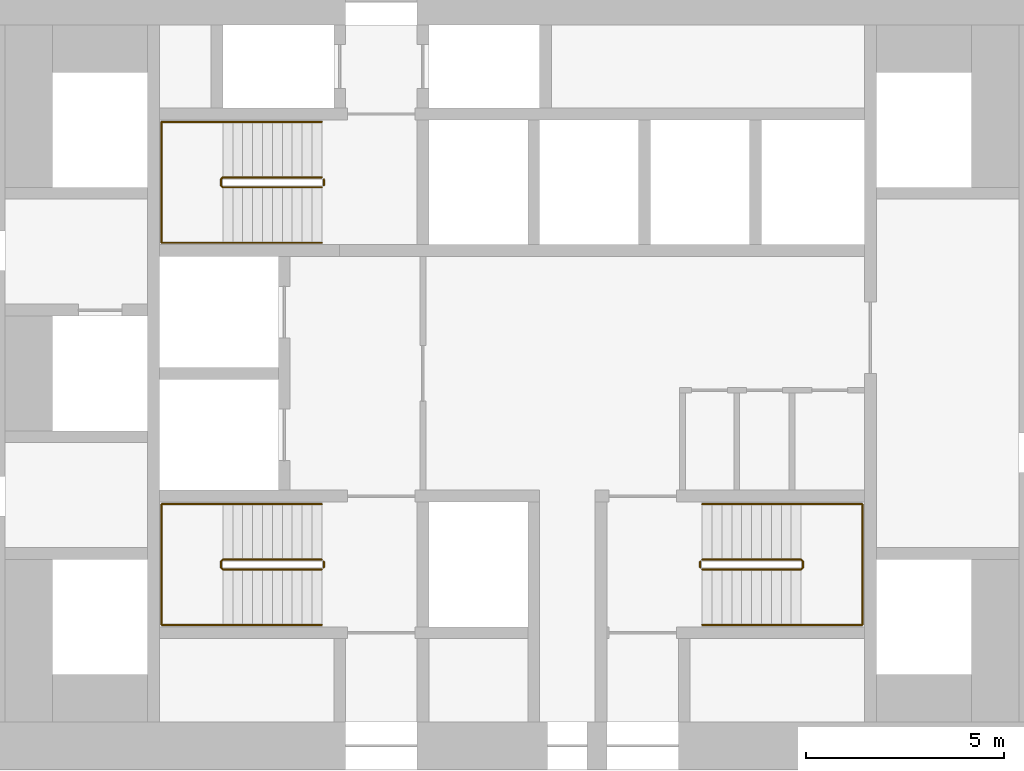
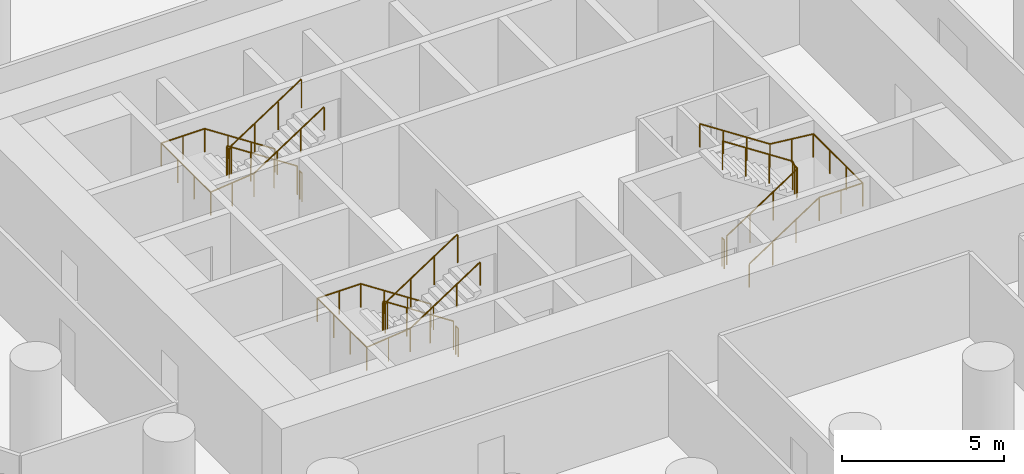
# One storey, part 12 of 12: 9 railings.
"""IFC4 building model written with IfcOpenShell, lengths in metres."""

import ifcopenshell
import ifcopenshell.guid

model = None  # the IFC model being written
_history = None  # IfcOwnerHistory: only IFC2X3 demands one
_inside = {}  # id of a spatial element -> (the spatial element, [elements in it])
_under = {}  # id of a project, library or spatial element -> (it, [spatial elements below it])
_declared = {}  # id of a project -> (the project, [libraries it declares])
_typed = {}  # id of a type object -> (the type object, [elements of that type])
_made_of = {}  # id of a material, layer set ... -> (it, [elements and type objects made of it])


def new_model(schema):
    """Start an empty IFC model of exactly this schema.

    Asked for "IFC4X3", IfcOpenShell would pick the latest addendum, in which some entities
    have other attributes; the version numbers below select the first issue.
    IFC2X3 requires an IfcOwnerHistory on every rooted entity: one is made here for all.
    """
    global model, _history
    if schema == "IFC4X3":
        model = ifcopenshell.file(schema_version=(4, 3, 0, 0))
    else:
        model = ifcopenshell.file(schema=schema)
    _inside.clear()
    _under.clear()
    _declared.clear()
    _typed.clear()
    _made_of.clear()
    _history = None
    if model.schema == "IFC2X3":
        org = make("IfcOrganization", Name="unknown")
        user = make(
            "IfcPersonAndOrganization",
            ThePerson=make("IfcPerson", FamilyName="unknown"),
            TheOrganization=org,
        )
        app = make(
            "IfcApplication",
            ApplicationDeveloper=org,
            Version="unknown",
            ApplicationFullName="unknown",
            ApplicationIdentifier="unknown",
        )
        _history = make(
            "IfcOwnerHistory",
            OwningUser=user,
            OwningApplication=app,
            ChangeAction="ADDED",
            CreationDate=0,
        )
    return model


def make(cls, **values):
    """One entity of the class cls with the attributes given. An attribute that is None is left unset."""
    return model.create_entity(
        cls, **{name: value for name, value in values.items() if value is not None}
    )


def rooted(cls, **values):
    """An entity with a GlobalId (a new one), such as an element, a storey or a relation."""
    return make(cls, GlobalId=ifcopenshell.guid.new(), OwnerHistory=_history, **values)


def si_unit(unit_type, name, prefix=None):
    """IfcSIUnit, for example si_unit("LENGTHUNIT", "METRE", prefix="MILLI")."""
    return make("IfcSIUnit", UnitType=unit_type, Prefix=prefix, Name=name)


def assignment(units):
    """IfcUnitAssignment: the units of a project."""
    return None if units is None else make("IfcUnitAssignment", Units=units)


def point(xyz):
    """IfcCartesianPoint."""
    return None if xyz is None else make("IfcCartesianPoint", Coordinates=xyz)


def direction(xyz):
    """IfcDirection."""
    return None if xyz is None else make("IfcDirection", DirectionRatios=xyz)


def frame(location, z_axis=None, x_axis=None):
    """IfcAxis2Placement3D, a coordinate frame: its origin and axes. An axis left out is left unset."""
    return make(
        "IfcAxis2Placement3D",
        Location=point(location),
        Axis=direction(z_axis),
        RefDirection=direction(x_axis),
    )


def frame_2d(location, x_axis=None):
    """IfcAxis2Placement2D, a coordinate frame in the plane: its origin and x axis."""
    return make(
        "IfcAxis2Placement2D", Location=point(location), RefDirection=direction(x_axis)
    )


def origin():
    """The frame at (0, 0, 0) with its axes left unset."""
    return frame((0.0, 0.0, 0.0))


def origin_2d():
    """The frame at (0, 0) in the plane with its x axis left unset."""
    return frame_2d((0.0, 0.0))


def place(relative_to, where):
    """IfcLocalPlacement: puts the frame where relative to a parent placement (None: the world)."""
    return make(
        "IfcLocalPlacement", PlacementRelTo=relative_to, RelativePlacement=where
    )


def context(
    kind, dimensions, precision=None, world=None, true_north=None, identifier=None
):
    """IfcGeometricRepresentationContext, for example the 3D "Model" context."""
    return make(
        "IfcGeometricRepresentationContext",
        ContextIdentifier=identifier,
        ContextType=kind,
        CoordinateSpaceDimension=dimensions,
        Precision=precision,
        WorldCoordinateSystem=world,
        TrueNorth=true_north,
    )


def subcontext(parent, identifier, kind, view, scale=None):
    """IfcGeometricRepresentationSubContext, for example "Body" below "Model"."""
    return make(
        "IfcGeometricRepresentationSubContext",
        ContextIdentifier=identifier,
        ContextType=kind,
        ParentContext=parent,
        TargetScale=scale,
        TargetView=view,
    )


def project(units=None, contexts=None):
    """IfcProject with its units and contexts."""
    return rooted(
        "IfcProject",
        Name="project",
        RepresentationContexts=contexts,
        UnitsInContext=assignment(units),
    )


def spatial(cls, under=None, at=None, **own):
    """A site, building, storey or space (cls), placed at a placement, below another one or the project."""
    s = rooted(cls, ObjectPlacement=at, **own)
    if under is not None:
        _under.setdefault(under.id(), (under, []))[1].append(s)
    return s


def profile(cls, at=None, kind="AREA", **sizes):
    """A parametric profile (cls). Its sizes go by their IFC names, for example OverallWidth=200.0."""
    return make(cls, ProfileType=kind, Position=at, **sizes)


def circle(**sizes):
    """IfcCircleProfileDef."""
    return profile("IfcCircleProfileDef", **sizes)


def extrude(swept, where, along, depth):
    """IfcExtrudedAreaSolid: the profile swept, set in the frame where, extruded along a direction by depth."""
    return make(
        "IfcExtrudedAreaSolid",
        SweptArea=swept,
        Position=where,
        ExtrudedDirection=direction(along),
        Depth=depth,
    )


def shape(context_of_items, identifier, shape_type, items):
    """IfcShapeRepresentation: the items that make up one representation, for example the "Body"."""
    return make(
        "IfcShapeRepresentation",
        ContextOfItems=context_of_items,
        RepresentationIdentifier=identifier,
        RepresentationType=shape_type,
        Items=items,
    )


def material(Name=None, Category=None):
    """IfcMaterial."""
    return make("IfcMaterial", Name=Name, Category=Category)


def made_of(thing, what):
    """Note that an element or type object is made of a material, layer set ...; save() writes the relation."""
    if what is not None:
        _made_of.setdefault(what.id(), (what, []))[1].append(thing)
    return thing


def type_object(cls, material=None, **own):
    """A type object (cls), such as IfcWallType, which elements share."""
    return made_of(rooted(cls, **own), material)


def element(
    cls,
    number,
    at=None,
    inside=None,
    cuts=None,
    type_object=None,
    material=None,
    context=None,
    identifier="Body",
    shape_type=None,
    held_by="IfcProductDefinitionShape",
    body=None,
    shapes=None,
    **own,
):
    """One element of the class cls, such as IfcWall. Its Tag is "e" and its number.

    at: its placement. inside: the storey or other place that contains it. cuts: it is an
    opening in that element (IfcRelVoidsElement). A single representation is given by context,
    identifier, shape_type and body (its items); several are given by shapes. held_by: the class
    of the entity that holds the representations. save() writes the other relations.
    """
    e = rooted(cls, Tag="e%d" % number, ObjectPlacement=at, **own)
    if body is not None:
        shapes = [shape(context, identifier, shape_type, body)]
    if shapes is not None:
        e.Representation = make(held_by, Representations=shapes)
    if inside is not None:
        _inside.setdefault(inside.id(), (inside, []))[1].append(e)
    if cuts is not None:
        rooted(
            "IfcRelVoidsElement", RelatingBuildingElement=cuts, RelatedOpeningElement=e
        )
    if type_object is not None:
        _typed.setdefault(type_object.id(), (type_object, []))[1].append(e)
    return made_of(e, material)


def aggregate(whole, parts):
    """IfcRelAggregates: a whole, such as a stair, and the parts it consists of."""
    return rooted("IfcRelAggregates", RelatingObject=whole, RelatedObjects=parts)


def save(model, path):
    """Write the relations noted so far, then the file.

    IfcRelAggregates (storeys below a building ...), IfcRelContainedInSpatialStructure (elements
    in a storey), IfcRelDefinesByType, IfcRelAssociatesMaterial and IfcRelDeclares: one each for
    every whole, place, type object, material and project.
    """
    for whole, parts in _under.values():
        aggregate(whole, parts)
    for where, things in _inside.values():
        rooted(
            "IfcRelContainedInSpatialStructure",
            RelatedElements=things,
            RelatingStructure=where,
        )
    for kind, things in _typed.values():
        rooted("IfcRelDefinesByType", RelatedObjects=things, RelatingType=kind)
    for what, things in _made_of.values():
        rooted("IfcRelAssociatesMaterial", RelatedObjects=things, RelatingMaterial=what)
    for by, libraries in _declared.values():
        rooted("IfcRelDeclares", RelatingContext=by, RelatedDefinitions=libraries)
    model.write(path)


model = new_model("IFC4")

# Units and contexts
model_context = context("Model", 3, precision=1e-05, world=origin(), true_north=direction((0.0, 1.0)))
body_context = subcontext(model_context, "Body", "Model", "MODEL_VIEW")
ifc_project = project(units=[si_unit("LENGTHUNIT", "METRE"), si_unit("AREAUNIT", "SQUARE_METRE"), si_unit("VOLUMEUNIT", "CUBIC_METRE"), si_unit("PLANEANGLEUNIT", "RADIAN"), si_unit("MASSUNIT", "GRAM", prefix="KILO")], contexts=[model_context])

# Site, building, storey
site_placement = place(None, origin())
site = spatial("IfcSite", under=ifc_project, at=site_placement, CompositionType="ELEMENT")
building_placement = place(site_placement, origin())
building = spatial("IfcBuilding", under=site, at=building_placement, Name="Tracery Tower", CompositionType="ELEMENT")
storey_placement = place(building_placement, frame((0.0, 0.0, 46.199951171875)))
storey = spatial("IfcBuildingStorey", under=building, at=storey_placement, Name="L10", CompositionType="ELEMENT", Elevation=46.199951171875)

# Railings
ifc_material_1 = material(Name="Stainless steel and laminated glass", Category="steel")
railing_type_1 = type_object("IfcRailingType", Name="Stair guard 1100", PredefinedType="GUARDRAIL", material=ifc_material_1)
railing_1_placement = place(storey_placement, frame((-4.800048828125, -4.699951171875, 0.16357421875)))
element("IfcRailing", 1, at=railing_1_placement, inside=storey, type_object=railing_type_1, Name="L10 stair ST1 guard 1", PredefinedType="GUARDRAIL", context=body_context, shape_type="SweptSolid", body=[
    extrude(circle(Radius=0.02392578125, at=origin_2d()), frame((0.0, 0.0, 1.076171875), z_axis=(-0.83668449804, 0.0, 0.54768517484), x_axis=(0.0, -1.0, 0.0)), (0.0, 0.0, 1.0), 2.988037109375),
    extrude(circle(Radius=0.02392578125, at=origin_2d()), frame((-2.5, 0.0, 2.71240234375), z_axis=(-0.707106781187, -0.707106781187, 0.0), x_axis=(0.707106781187, -0.707106781187, 0.0)), (0.0, 0.0, 1.0), 0.07080078125),
    extrude(circle(Radius=0.02392578125, at=origin_2d()), frame((-2.550048828125, -0.050048828125, 2.71240234375), z_axis=(0.0, -1.0, 0.0), x_axis=(1.0, 0.0, 0.0)), (0.0, 0.0, 1.0), 0.14990234375),
    extrude(circle(Radius=0.02392578125, at=origin_2d()), frame((-2.550048828125, -0.199951171875, 2.71240234375), z_axis=(0.280808744504, -0.280808744504, 0.917765164963), x_axis=(0.707106781187, 0.707106781187, 0.0)), (0.0, 0.0, 1.0), 0.17822265625),
    extrude(circle(Radius=0.02392578125, at=origin_2d()), frame((-2.5, -0.25, 2.8759765625), z_axis=(0.83668449804, 0.0, 0.54768517484), x_axis=(0.0, 1.0, 0.0)), (0.0, 0.0, 1.0), 2.988037109375),
    extrude(circle(Radius=0.02099609375, at=origin_2d()), origin(), (0.0, 0.0, 1.0), 1.052001953125),
    extrude(circle(Radius=0.02099609375, at=origin_2d()), frame((-0.833251953125, 0.0, 0.54541015625)), (0.0, 0.0, 1.0), 1.052001953125),
    extrude(circle(Radius=0.02099609375, at=origin_2d()), frame((-1.666748046875, 0.0, 1.091064453125)), (0.0, 0.0, 1.0), 1.052001953125),
    extrude(circle(Radius=0.02099609375, at=origin_2d()), frame((-2.5, 0.0, 1.636474609375)), (0.0, 0.0, 1.0), 1.052001953125),
    extrude(circle(Radius=0.02099609375, at=origin_2d()), frame((-2.550048828125, -0.050048828125, 1.636474609375)), (0.0, 0.0, 1.0), 1.052001953125),
    extrude(circle(Radius=0.02099609375, at=origin_2d()), frame((-2.550048828125, -0.199951171875, 1.636474609375)), (0.0, 0.0, 1.0), 1.052001953125),
    extrude(circle(Radius=0.02099609375, at=origin_2d()), frame((-2.5, -0.25, 1.800048828125)), (0.0, 0.0, 1.0), 1.052001953125),
    extrude(circle(Radius=0.02099609375, at=origin_2d()), frame((-1.666748046875, -0.25, 2.345458984375)), (0.0, 0.0, 1.0), 1.052001953125),
    extrude(circle(Radius=0.02099609375, at=origin_2d()), frame((-0.833251953125, -0.25, 2.89111328125)), (0.0, 0.0, 1.0), 1.052001953125),
    extrude(circle(Radius=0.02099609375, at=origin_2d()), frame((0.0, -0.25, 3.4365234375)), (0.0, 0.0, 1.0), 1.052001953125),
])
railing_2_placement = place(storey_placement, frame((-4.75, -4.75, 0.0)))
element("IfcRailing", 2, at=railing_2_placement, inside=storey, type_object=railing_type_1, Name="L10 stair ST1 guard 2", PredefinedType="GUARDRAIL", context=body_context, shape_type="SweptSolid", body=[
    extrude(circle(Radius=0.02392578125, at=origin_2d()), frame((0.0, 0.0, 1.076171875), z_axis=(0.0, -1.0, 0.0), x_axis=(1.0, 0.0, 0.0)), (0.0, 0.0, 1.0), 0.14990234375),
    extrude(circle(Radius=0.02099609375, at=origin_2d()), origin(), (0.0, 0.0, 1.0), 1.052001953125),
    extrude(circle(Radius=0.02099609375, at=origin_2d()), frame((0.0, -0.14990234375, 0.0)), (0.0, 0.0, 1.0), 1.052001953125),
])
railing_3_placement = place(storey_placement, frame((-4.800048828125, 4.949951171875, 0.16357421875)))
element("IfcRailing", 3, at=railing_3_placement, inside=storey, type_object=railing_type_1, Name="L10 stair ST3 guard 1", PredefinedType="GUARDRAIL", context=body_context, shape_type="SweptSolid", body=[
    extrude(circle(Radius=0.02392578125, at=origin_2d()), frame((0.0, 0.0, 1.076171875), z_axis=(-0.83668449804, 0.0, 0.54768517484), x_axis=(0.0, -1.0, 0.0)), (0.0, 0.0, 1.0), 2.988037109375),
    extrude(circle(Radius=0.02392578125, at=origin_2d()), frame((-2.5, 0.0, 2.71240234375), z_axis=(-0.707106781187, -0.707106781187, 0.0), x_axis=(0.707106781187, -0.707106781187, 0.0)), (0.0, 0.0, 1.0), 0.07080078125),
    extrude(circle(Radius=0.02392578125, at=origin_2d()), frame((-2.550048828125, -0.050048828125, 2.71240234375), z_axis=(0.0, -1.0, 0.0), x_axis=(1.0, 0.0, 0.0)), (0.0, 0.0, 1.0), 0.14990234375),
    extrude(circle(Radius=0.02392578125, at=origin_2d()), frame((-2.550048828125, -0.199951171875, 2.71240234375), z_axis=(0.280808744504, -0.280808744504, 0.917765164963), x_axis=(0.707106781187, 0.707106781187, 0.0)), (0.0, 0.0, 1.0), 0.17822265625),
    extrude(circle(Radius=0.02392578125, at=origin_2d()), frame((-2.5, -0.25, 2.8759765625), z_axis=(0.83668449804, 0.0, 0.54768517484), x_axis=(0.0, 1.0, 0.0)), (0.0, 0.0, 1.0), 2.988037109375),
    extrude(circle(Radius=0.02099609375, at=origin_2d()), origin(), (0.0, 0.0, 1.0), 1.052001953125),
    extrude(circle(Radius=0.02099609375, at=origin_2d()), frame((-0.833251953125, 0.0, 0.54541015625)), (0.0, 0.0, 1.0), 1.052001953125),
    extrude(circle(Radius=0.02099609375, at=origin_2d()), frame((-1.666748046875, 0.0, 1.091064453125)), (0.0, 0.0, 1.0), 1.052001953125),
    extrude(circle(Radius=0.02099609375, at=origin_2d()), frame((-2.5, 0.0, 1.636474609375)), (0.0, 0.0, 1.0), 1.052001953125),
    extrude(circle(Radius=0.02099609375, at=origin_2d()), frame((-2.550048828125, -0.050048828125, 1.636474609375)), (0.0, 0.0, 1.0), 1.052001953125),
    extrude(circle(Radius=0.02099609375, at=origin_2d()), frame((-2.550048828125, -0.199951171875, 1.636474609375)), (0.0, 0.0, 1.0), 1.052001953125),
    extrude(circle(Radius=0.02099609375, at=origin_2d()), frame((-2.5, -0.25, 1.800048828125)), (0.0, 0.0, 1.0), 1.052001953125),
    extrude(circle(Radius=0.02099609375, at=origin_2d()), frame((-1.666748046875, -0.25, 2.345458984375)), (0.0, 0.0, 1.0), 1.052001953125),
    extrude(circle(Radius=0.02099609375, at=origin_2d()), frame((-0.833251953125, -0.25, 2.89111328125)), (0.0, 0.0, 1.0), 1.052001953125),
    extrude(circle(Radius=0.02099609375, at=origin_2d()), frame((0.0, -0.25, 3.4365234375)), (0.0, 0.0, 1.0), 1.052001953125),
])
railing_4_placement = place(storey_placement, frame((-4.75, 4.89990234375, 0.0)))
element("IfcRailing", 4, at=railing_4_placement, inside=storey, type_object=railing_type_1, Name="L10 stair ST3 guard 2", PredefinedType="GUARDRAIL", context=body_context, shape_type="SweptSolid", body=[
    extrude(circle(Radius=0.02392578125, at=origin_2d()), frame((0.0, 0.0, 1.076171875), z_axis=(0.0, -1.0, 0.0), x_axis=(1.0, 0.0, 0.0)), (0.0, 0.0, 1.0), 0.14990234375),
    extrude(circle(Radius=0.02099609375, at=origin_2d()), origin(), (0.0, 0.0, 1.0), 1.052001953125),
    extrude(circle(Radius=0.02099609375, at=origin_2d()), frame((0.0, -0.14990234375, 0.0)), (0.0, 0.0, 1.0), 1.052001953125),
])
railing_5_placement = place(storey_placement, frame((4.800048828125, -4.949951171875, 0.16357421875)))
element("IfcRailing", 5, at=railing_5_placement, inside=storey, type_object=railing_type_1, Name="L10 stair ST2 guard 1", PredefinedType="GUARDRAIL", context=body_context, shape_type="SweptSolid", body=[
    extrude(circle(Radius=0.02392578125, at=origin_2d()), frame((0.0, 0.0, 1.076171875), z_axis=(0.83668449804, 0.0, 0.54768517484), x_axis=(0.0, 1.0, 0.0)), (0.0, 0.0, 1.0), 2.988037109375),
    extrude(circle(Radius=0.02392578125, at=origin_2d()), frame((2.5, 0.0, 2.71240234375), z_axis=(0.707106781187, 0.707106781187, 0.0), x_axis=(-0.707106781187, 0.707106781187, 0.0)), (0.0, 0.0, 1.0), 0.07080078125),
    extrude(circle(Radius=0.02392578125, at=origin_2d()), frame((2.550048828125, 0.050048828125, 2.71240234375), z_axis=(0.0, 1.0, 0.0), x_axis=(-1.0, 0.0, 0.0)), (0.0, 0.0, 1.0), 0.14990234375),
    extrude(circle(Radius=0.02392578125, at=origin_2d()), frame((2.550048828125, 0.199951171875, 2.71240234375), z_axis=(-0.280808744504, 0.280808744504, 0.917765164963), x_axis=(-0.707106781187, -0.707106781187, 0.0)), (0.0, 0.0, 1.0), 0.17822265625),
    extrude(circle(Radius=0.02392578125, at=origin_2d()), frame((2.5, 0.25, 2.8759765625), z_axis=(-0.83668449804, 0.0, 0.54768517484), x_axis=(0.0, -1.0, 0.0)), (0.0, 0.0, 1.0), 2.988037109375),
    extrude(circle(Radius=0.02099609375, at=origin_2d()), origin(), (0.0, 0.0, 1.0), 1.052001953125),
    extrude(circle(Radius=0.02099609375, at=origin_2d()), frame((0.833251953125, 0.0, 0.54541015625)), (0.0, 0.0, 1.0), 1.052001953125),
    extrude(circle(Radius=0.02099609375, at=origin_2d()), frame((1.666748046875, 0.0, 1.091064453125)), (0.0, 0.0, 1.0), 1.052001953125),
    extrude(circle(Radius=0.02099609375, at=origin_2d()), frame((2.5, 0.0, 1.636474609375)), (0.0, 0.0, 1.0), 1.052001953125),
    extrude(circle(Radius=0.02099609375, at=origin_2d()), frame((2.550048828125, 0.050048828125, 1.636474609375)), (0.0, 0.0, 1.0), 1.052001953125),
    extrude(circle(Radius=0.02099609375, at=origin_2d()), frame((2.550048828125, 0.199951171875, 1.636474609375)), (0.0, 0.0, 1.0), 1.052001953125),
    extrude(circle(Radius=0.02099609375, at=origin_2d()), frame((2.5, 0.25, 1.800048828125)), (0.0, 0.0, 1.0), 1.052001953125),
    extrude(circle(Radius=0.02099609375, at=origin_2d()), frame((1.666748046875, 0.25, 2.345458984375)), (0.0, 0.0, 1.0), 1.052001953125),
    extrude(circle(Radius=0.02099609375, at=origin_2d()), frame((0.833251953125, 0.25, 2.89111328125)), (0.0, 0.0, 1.0), 1.052001953125),
    extrude(circle(Radius=0.02099609375, at=origin_2d()), frame((0.0, 0.25, 3.4365234375)), (0.0, 0.0, 1.0), 1.052001953125),
])
railing_6_placement = place(storey_placement, frame((4.75, -4.89990234375, 0.0)))
element("IfcRailing", 6, at=railing_6_placement, inside=storey, type_object=railing_type_1, Name="L10 stair ST2 guard 2", PredefinedType="GUARDRAIL", context=body_context, shape_type="SweptSolid", body=[
    extrude(circle(Radius=0.02392578125, at=origin_2d()), frame((0.0, 0.0, 1.076171875), z_axis=(0.0, 1.0, 0.0), x_axis=(-1.0, 0.0, 0.0)), (0.0, 0.0, 1.0), 0.14990234375),
    extrude(circle(Radius=0.02099609375, at=origin_2d()), origin(), (0.0, 0.0, 1.0), 1.052001953125),
    extrude(circle(Radius=0.02099609375, at=origin_2d()), frame((0.0, 0.14990234375, 0.0)), (0.0, 0.0, 1.0), 1.052001953125),
])
ifc_material_2 = material(Name="Stainless steel and laminated glass", Category="steel")
railing_type_2 = type_object("IfcRailingType", Name="Stair handrail 900", PredefinedType="HANDRAIL", material=ifc_material_2)
railing_7_placement = place(storey_placement, frame((-4.800048828125, -3.300048828125, 0.16357421875)))
element("IfcRailing", 7, at=railing_7_placement, inside=storey, type_object=railing_type_2, Name="L10 stair ST1 handrail 1", PredefinedType="HANDRAIL", context=body_context, shape_type="SweptSolid", body=[
    extrude(circle(Radius=0.02392578125, at=origin_2d()), frame((0.0, 0.0, 0.8759765625), z_axis=(-0.83668449804, 0.0, 0.54768517484), x_axis=(0.0, -1.0, 0.0)), (0.0, 0.0, 1.0), 2.988037109375),
    extrude(circle(Radius=0.02392578125, at=origin_2d()), frame((-2.5, 0.0, 2.51220703125), z_axis=(-1.0, 0.0, 0.0), x_axis=(0.0, -1.0, 0.0)), (0.0, 0.0, 1.0), 1.550048828125),
    extrude(circle(Radius=0.02392578125, at=origin_2d()), frame((-4.050048828125, 0.0, 2.51220703125), z_axis=(0.0, -1.0, 0.0), x_axis=(1.0, 0.0, 0.0)), (0.0, 0.0, 1.0), 3.050048828125),
    extrude(circle(Radius=0.02392578125, at=origin_2d()), frame((-4.050048828125, -3.050048828125, 2.51220703125), z_axis=(0.994477953863, 0.0, 0.104945696817), x_axis=(0.0, 1.0, 0.0)), (0.0, 0.0, 1.0), 1.55859375),
    extrude(circle(Radius=0.02392578125, at=origin_2d()), frame((-2.5, -3.050048828125, 2.67578125), z_axis=(0.83668449804, 0.0, 0.54768517484), x_axis=(0.0, 1.0, 0.0)), (0.0, 0.0, 1.0), 2.988037109375),
    extrude(circle(Radius=0.02099609375, at=origin_2d()), origin(), (0.0, 0.0, 1.0), 0.851806640625),
    extrude(circle(Radius=0.02099609375, at=origin_2d()), frame((-0.833251953125, 0.0, 0.54541015625)), (0.0, 0.0, 1.0), 0.851806640625),
    extrude(circle(Radius=0.02099609375, at=origin_2d()), frame((-1.666748046875, 0.0, 1.091064453125)), (0.0, 0.0, 1.0), 0.851806640625),
    extrude(circle(Radius=0.02099609375, at=origin_2d()), frame((-2.5, 0.0, 1.636474609375)), (0.0, 0.0, 1.0), 0.851806640625),
    extrude(circle(Radius=0.02099609375, at=origin_2d()), frame((-3.27490234375, 0.0, 1.636474609375)), (0.0, 0.0, 1.0), 0.851806640625),
    extrude(circle(Radius=0.02099609375, at=origin_2d()), frame((-4.050048828125, 0.0, 1.636474609375)), (0.0, 0.0, 1.0), 0.851806640625),
    extrude(circle(Radius=0.02099609375, at=origin_2d()), frame((-4.050048828125, -1.0166015625, 1.636474609375)), (0.0, 0.0, 1.0), 0.851806640625),
    extrude(circle(Radius=0.02099609375, at=origin_2d()), frame((-4.050048828125, -2.033447265625, 1.636474609375)), (0.0, 0.0, 1.0), 0.851806640625),
    extrude(circle(Radius=0.02099609375, at=origin_2d()), frame((-4.050048828125, -3.050048828125, 1.636474609375)), (0.0, 0.0, 1.0), 0.851806640625),
    extrude(circle(Radius=0.02099609375, at=origin_2d()), frame((-3.27490234375, -3.050048828125, 1.71826171875)), (0.0, 0.0, 1.0), 0.851806640625),
    extrude(circle(Radius=0.02099609375, at=origin_2d()), frame((-2.5, -3.050048828125, 1.800048828125)), (0.0, 0.0, 1.0), 0.851806640625),
    extrude(circle(Radius=0.02099609375, at=origin_2d()), frame((-1.666748046875, -3.050048828125, 2.345458984375)), (0.0, 0.0, 1.0), 0.851806640625),
    extrude(circle(Radius=0.02099609375, at=origin_2d()), frame((-0.833251953125, -3.050048828125, 2.89111328125)), (0.0, 0.0, 1.0), 0.851806640625),
    extrude(circle(Radius=0.02099609375, at=origin_2d()), frame((0.0, -3.050048828125, 3.4365234375)), (0.0, 0.0, 1.0), 0.851806640625),
])
railing_8_placement = place(storey_placement, frame((-4.800048828125, 6.35009765625, 0.16357421875)))
element("IfcRailing", 8, at=railing_8_placement, inside=storey, type_object=railing_type_2, Name="L10 stair ST3 handrail 1", PredefinedType="HANDRAIL", context=body_context, shape_type="SweptSolid", body=[
    extrude(circle(Radius=0.02392578125, at=origin_2d()), frame((0.0, 0.0, 0.8759765625), z_axis=(-0.83668449804, 0.0, 0.54768517484), x_axis=(0.0, -1.0, 0.0)), (0.0, 0.0, 1.0), 2.988037109375),
    extrude(circle(Radius=0.02392578125, at=origin_2d()), frame((-2.5, 0.0, 2.51220703125), z_axis=(-1.0, 0.0, 0.0), x_axis=(0.0, -1.0, 0.0)), (0.0, 0.0, 1.0), 1.550048828125),
    extrude(circle(Radius=0.02392578125, at=origin_2d()), frame((-4.050048828125, 0.0, 2.51220703125), z_axis=(0.0, -1.0, 0.0), x_axis=(1.0, 0.0, 0.0)), (0.0, 0.0, 1.0), 3.050048828125),
    extrude(circle(Radius=0.02392578125, at=origin_2d()), frame((-4.050048828125, -3.050048828125, 2.51220703125), z_axis=(0.994477953863, 0.0, 0.104945696817), x_axis=(0.0, 1.0, 0.0)), (0.0, 0.0, 1.0), 1.55859375),
    extrude(circle(Radius=0.02392578125, at=origin_2d()), frame((-2.5, -3.050048828125, 2.67578125), z_axis=(0.83668449804, 0.0, 0.54768517484), x_axis=(0.0, 1.0, 0.0)), (0.0, 0.0, 1.0), 2.988037109375),
    extrude(circle(Radius=0.02099609375, at=origin_2d()), origin(), (0.0, 0.0, 1.0), 0.851806640625),
    extrude(circle(Radius=0.02099609375, at=origin_2d()), frame((-0.833251953125, 0.0, 0.54541015625)), (0.0, 0.0, 1.0), 0.851806640625),
    extrude(circle(Radius=0.02099609375, at=origin_2d()), frame((-1.666748046875, 0.0, 1.091064453125)), (0.0, 0.0, 1.0), 0.851806640625),
    extrude(circle(Radius=0.02099609375, at=origin_2d()), frame((-2.5, 0.0, 1.636474609375)), (0.0, 0.0, 1.0), 0.851806640625),
    extrude(circle(Radius=0.02099609375, at=origin_2d()), frame((-3.27490234375, 0.0, 1.636474609375)), (0.0, 0.0, 1.0), 0.851806640625),
    extrude(circle(Radius=0.02099609375, at=origin_2d()), frame((-4.050048828125, 0.0, 1.636474609375)), (0.0, 0.0, 1.0), 0.851806640625),
    extrude(circle(Radius=0.02099609375, at=origin_2d()), frame((-4.050048828125, -1.0166015625, 1.636474609375)), (0.0, 0.0, 1.0), 0.851806640625),
    extrude(circle(Radius=0.02099609375, at=origin_2d()), frame((-4.050048828125, -2.033447265625, 1.636474609375)), (0.0, 0.0, 1.0), 0.851806640625),
    extrude(circle(Radius=0.02099609375, at=origin_2d()), frame((-4.050048828125, -3.050048828125, 1.636474609375)), (0.0, 0.0, 1.0), 0.851806640625),
    extrude(circle(Radius=0.02099609375, at=origin_2d()), frame((-3.27490234375, -3.050048828125, 1.71826171875)), (0.0, 0.0, 1.0), 0.851806640625),
    extrude(circle(Radius=0.02099609375, at=origin_2d()), frame((-2.5, -3.050048828125, 1.800048828125)), (0.0, 0.0, 1.0), 0.851806640625),
    extrude(circle(Radius=0.02099609375, at=origin_2d()), frame((-1.666748046875, -3.050048828125, 2.345458984375)), (0.0, 0.0, 1.0), 0.851806640625),
    extrude(circle(Radius=0.02099609375, at=origin_2d()), frame((-0.833251953125, -3.050048828125, 2.89111328125)), (0.0, 0.0, 1.0), 0.851806640625),
    extrude(circle(Radius=0.02099609375, at=origin_2d()), frame((0.0, -3.050048828125, 3.4365234375)), (0.0, 0.0, 1.0), 0.851806640625),
])
railing_9_placement = place(storey_placement, frame((4.800048828125, -6.35009765625, 0.16357421875)))
element("IfcRailing", 9, at=railing_9_placement, inside=storey, type_object=railing_type_2, Name="L10 stair ST2 handrail 1", PredefinedType="HANDRAIL", context=body_context, shape_type="SweptSolid", body=[
    extrude(circle(Radius=0.02392578125, at=origin_2d()), frame((0.0, 0.0, 0.8759765625), z_axis=(0.83668449804, 0.0, 0.54768517484), x_axis=(0.0, 1.0, 0.0)), (0.0, 0.0, 1.0), 2.988037109375),
    extrude(circle(Radius=0.02392578125, at=origin_2d()), frame((2.5, 0.0, 2.51220703125), z_axis=(1.0, 0.0, 0.0), x_axis=(0.0, 1.0, 0.0)), (0.0, 0.0, 1.0), 1.550048828125),
    extrude(circle(Radius=0.02392578125, at=origin_2d()), frame((4.050048828125, 0.0, 2.51220703125), z_axis=(0.0, 1.0, 0.0), x_axis=(-1.0, 0.0, 0.0)), (0.0, 0.0, 1.0), 3.050048828125),
    extrude(circle(Radius=0.02392578125, at=origin_2d()), frame((4.050048828125, 3.050048828125, 2.51220703125), z_axis=(-0.994477953863, 0.0, 0.104945696817), x_axis=(0.0, -1.0, 0.0)), (0.0, 0.0, 1.0), 1.55859375),
    extrude(circle(Radius=0.02392578125, at=origin_2d()), frame((2.5, 3.050048828125, 2.67578125), z_axis=(-0.83668449804, 0.0, 0.54768517484), x_axis=(0.0, -1.0, 0.0)), (0.0, 0.0, 1.0), 2.988037109375),
    extrude(circle(Radius=0.02099609375, at=origin_2d()), origin(), (0.0, 0.0, 1.0), 0.851806640625),
    extrude(circle(Radius=0.02099609375, at=origin_2d()), frame((0.833251953125, 0.0, 0.54541015625)), (0.0, 0.0, 1.0), 0.851806640625),
    extrude(circle(Radius=0.02099609375, at=origin_2d()), frame((1.666748046875, 0.0, 1.091064453125)), (0.0, 0.0, 1.0), 0.851806640625),
    extrude(circle(Radius=0.02099609375, at=origin_2d()), frame((2.5, 0.0, 1.636474609375)), (0.0, 0.0, 1.0), 0.851806640625),
    extrude(circle(Radius=0.02099609375, at=origin_2d()), frame((3.27490234375, 0.0, 1.636474609375)), (0.0, 0.0, 1.0), 0.851806640625),
    extrude(circle(Radius=0.02099609375, at=origin_2d()), frame((4.050048828125, 0.0, 1.636474609375)), (0.0, 0.0, 1.0), 0.851806640625),
    extrude(circle(Radius=0.02099609375, at=origin_2d()), frame((4.050048828125, 1.0166015625, 1.636474609375)), (0.0, 0.0, 1.0), 0.851806640625),
    extrude(circle(Radius=0.02099609375, at=origin_2d()), frame((4.050048828125, 2.033447265625, 1.636474609375)), (0.0, 0.0, 1.0), 0.851806640625),
    extrude(circle(Radius=0.02099609375, at=origin_2d()), frame((4.050048828125, 3.050048828125, 1.636474609375)), (0.0, 0.0, 1.0), 0.851806640625),
    extrude(circle(Radius=0.02099609375, at=origin_2d()), frame((3.27490234375, 3.050048828125, 1.71826171875)), (0.0, 0.0, 1.0), 0.851806640625),
    extrude(circle(Radius=0.02099609375, at=origin_2d()), frame((2.5, 3.050048828125, 1.800048828125)), (0.0, 0.0, 1.0), 0.851806640625),
    extrude(circle(Radius=0.02099609375, at=origin_2d()), frame((1.666748046875, 3.050048828125, 2.345458984375)), (0.0, 0.0, 1.0), 0.851806640625),
    extrude(circle(Radius=0.02099609375, at=origin_2d()), frame((0.833251953125, 3.050048828125, 2.89111328125)), (0.0, 0.0, 1.0), 0.851806640625),
    extrude(circle(Radius=0.02099609375, at=origin_2d()), frame((0.0, 3.050048828125, 3.4365234375)), (0.0, 0.0, 1.0), 0.851806640625),
])

save(model, "model.ifc")
